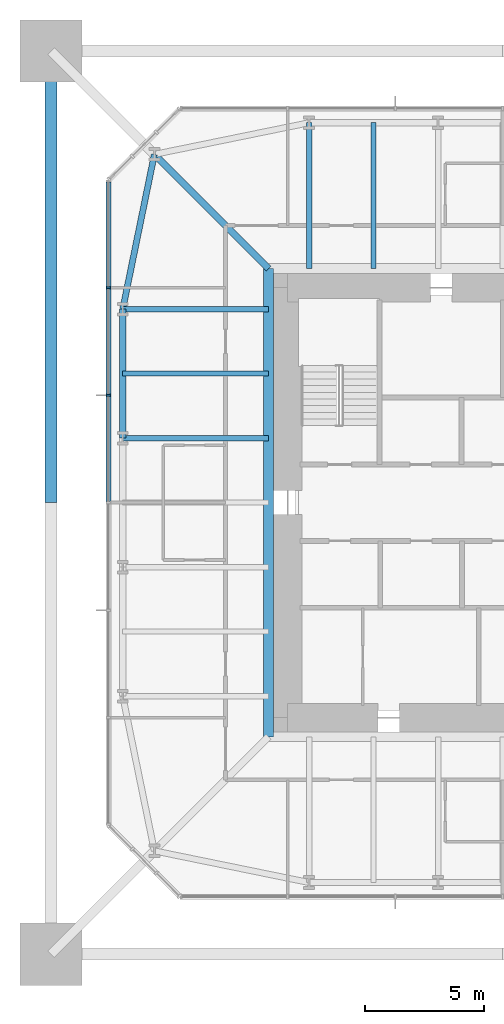
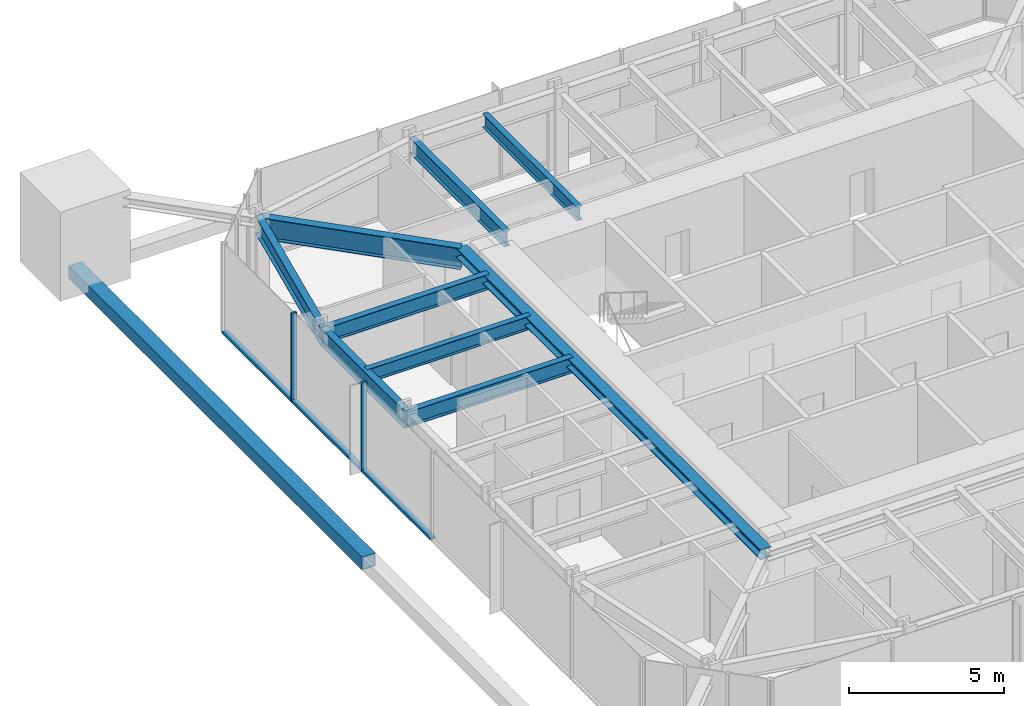
# One storey, part 3 of 10: 9 beams, 6 members, 1 element without a shape of its own.
"""IFC4 building model written with IfcOpenShell, lengths in metres."""

from ifc_helpers import new_model, si_unit, direction, frame, origin, origin_2d, place, context, subcontext, project, spatial, rectangle, hollow_rectangle, i_section, extrude, material, material_profile, profile_set, type_object, element, aggregate, save


model = new_model("IFC4")

# Units and contexts
model_context = context("Model", 3, precision=1e-05, world=origin(), true_north=direction((0.0, 1.0)))
body_context = subcontext(model_context, "Body", "Model", "MODEL_VIEW")
ifc_project = project(units=[si_unit("LENGTHUNIT", "METRE"), si_unit("AREAUNIT", "SQUARE_METRE"), si_unit("VOLUMEUNIT", "CUBIC_METRE"), si_unit("PLANEANGLEUNIT", "RADIAN"), si_unit("MASSUNIT", "GRAM", prefix="KILO")], contexts=[model_context])

# Site, building, storey
site_placement = place(None, origin())
site = spatial("IfcSite", under=ifc_project, at=site_placement, CompositionType="ELEMENT")
building_placement = place(site_placement, origin())
building = spatial("IfcBuilding", under=site, at=building_placement, Name="Iwan Alto Co-Living Towers", CompositionType="ELEMENT")
storey_placement = place(building_placement, frame((0.0, 0.0, 253.5)))
storey = spatial("IfcBuildingStorey", under=building, at=storey_placement, Name="L69", CompositionType="ELEMENT", Elevation=253.5)

# Curtain wall, members
ifc_material_1 = material(Name="Bronze aluminium unitised frame", Category="aluminium")
curtain_wall_type = type_object("IfcCurtainWallType", Name="CURTAIN WALL CW-A", PredefinedType="NOTDEFINED", material=ifc_material_1)
curtain_wall_placement = place(storey_placement, origin())
curtain_wall = element("IfcCurtainWall", 1, at=curtain_wall_placement, inside=storey, type_object=curtain_wall_type, Name="T1 curtain wall W L69", PredefinedType="NOTDEFINED")
ifc_material_2 = material(Name="Aluminium 6063-T6 bronze anodised", Category="aluminium")
ifc_material_profile_1 = material_profile(ifc_material_2, rectangle(XDim=0.199951171875, YDim=0.080078125, at=origin_2d()), Name="AL 80X200")
ifc_profile_set_1 = profile_set([ifc_material_profile_1], Name="Aluminium 6063-T6 bronze anodised")
member_type_1 = type_object("IfcMemberType", Name="CW-A MULLION 80X200", PredefinedType="MULLION", material=ifc_profile_set_1)
member_1_placement = place(storey_placement, frame((-16.5, 9.0, 0.0), z_axis=(0.0, 0.0, 1.0), x_axis=(1.0, 0.0, 0.0)))
member_1 = element("IfcMember", 2, at=member_1_placement, type_object=member_type_1, Name="CW-A mullion 2", PredefinedType="MULLION", context=body_context, shape_type="SweptSolid", body=[
    extrude(rectangle(XDim=0.199951171875, YDim=0.080078125, at=origin_2d()), origin(), (0.0, 0.0, 1.0), 3.5),
])
member_2_placement = place(storey_placement, frame((-16.5, 4.5, 0.0), z_axis=(0.0, 0.0, 1.0), x_axis=(1.0, 0.0, 0.0)))
member_2 = element("IfcMember", 3, at=member_2_placement, type_object=member_type_1, Name="CW-A mullion 3", PredefinedType="MULLION", context=body_context, shape_type="SweptSolid", body=[
    extrude(rectangle(XDim=0.199951171875, YDim=0.080078125, at=origin_2d()), origin(), (0.0, 0.0, 1.0), 3.5),
])
ifc_material_3 = material(Name="Aluminium 6063-T6 bronze anodised", Category="aluminium")
ifc_material_profile_2 = material_profile(ifc_material_3, rectangle(XDim=0.199951171875, YDim=0.10009765625, at=origin_2d()), Name="AL 200X100")
ifc_profile_set_2 = profile_set([ifc_material_profile_2], Name="Aluminium 6063-T6 bronze anodised")
member_type_2 = type_object("IfcMemberType", Name="CW-A TRANSOM 200X100", PredefinedType="USERDEFINED", material=ifc_profile_set_2)
member_3_placement = place(storey_placement, frame((-16.5, 13.419921875, 0.050048828125), z_axis=(0.0, -1.0, 0.0), x_axis=(1.0, 0.0, 0.0)))
member_3 = element("IfcMember", 4, at=member_3_placement, type_object=member_type_2, Name="CW-A transom 1.1", ObjectType="TRANSOM", PredefinedType="USERDEFINED", context=body_context, shape_type="SweptSolid", body=[
    extrude(rectangle(XDim=0.199951171875, YDim=0.10009765625, at=origin_2d()), origin(), (0.0, 0.0, 1.0), 4.3798828125),
])
member_4_placement = place(storey_placement, frame((-16.5, 8.9599609375, 0.050048828125), z_axis=(0.0, -1.0, 0.0), x_axis=(1.0, 0.0, 0.0)))
member_4 = element("IfcMember", 5, at=member_4_placement, type_object=member_type_2, Name="CW-A transom 2.1", ObjectType="TRANSOM", PredefinedType="USERDEFINED", context=body_context, shape_type="SweptSolid", body=[
    extrude(rectangle(XDim=0.199951171875, YDim=0.10009765625, at=origin_2d()), origin(), (0.0, 0.0, 1.0), 4.419921875),
])
member_5_placement = place(storey_placement, frame((-16.5, 4.4599609375, 0.050048828125), z_axis=(0.0, -1.0, 0.0), x_axis=(1.0, 0.0, 0.0)))
member_5 = element("IfcMember", 6, at=member_5_placement, type_object=member_type_2, Name="CW-A transom 3.1", ObjectType="TRANSOM", PredefinedType="USERDEFINED", context=body_context, shape_type="SweptSolid", body=[
    extrude(rectangle(XDim=0.199951171875, YDim=0.10009765625, at=origin_2d()), origin(), (0.0, 0.0, 1.0), 4.419921875),
])
aggregate(curtain_wall, [member_1, member_2, member_3, member_4, member_5])

# Beams
ifc_material_4 = material(Name="Steel ASTM A992 Gr 50", Category="steel")
ifc_material_profile_3 = material_profile(ifc_material_4, i_section(OverallWidth=0.398681640625, OverallDepth=0.385986328125, WebThickness=0.02099609375, FlangeThickness=0.033203125, at=origin_2d()), Name="W14X176")
ifc_profile_set_3 = profile_set([ifc_material_profile_3], Name="Steel ASTM A992 Gr 50")
beam_type_1 = type_object("IfcBeamType", Name="T1 CORE LEDGER BEAM W14X176", PredefinedType="BEAM", material=ifc_profile_set_3)
beam_1_placement = place(storey_placement, frame((-9.79931640625, 9.79931640625, 3.076904296875), z_axis=(0.0, -1.0, 0.0), x_axis=(1.0, 0.0, 0.0)))
element("IfcBeam", 7, at=beam_1_placement, inside=storey, type_object=beam_type_1, Name="T1 core ledger beam W L70", PredefinedType="BEAM", context=body_context, shape_type="SweptSolid", body=[
    extrude(i_section(OverallWidth=0.398681640625, OverallDepth=0.385986328125, WebThickness=0.02099609375, FlangeThickness=0.033203125, at=origin_2d()), origin(), (0.0, 0.0, 1.0), 19.5986328125),
])
ifc_material_5 = material(Name="Steel ASTM A992 Gr 50", Category="steel")
ifc_material_profile_4 = material_profile(ifc_material_5, i_section(OverallWidth=0.2919921875, OverallDepth=0.8408203125, WebThickness=0.0146484375, FlangeThickness=0.021728515625, at=origin_2d()), Name="W33X130")
ifc_profile_set_4 = profile_set([ifc_material_profile_4], Name="Steel ASTM A992 Gr 50")
beam_type_2 = type_object("IfcBeamType", Name="T1 CORNER GIRDER W33X130", PredefinedType="BEAM", material=ifc_profile_set_4)
beam_2_placement = place(storey_placement, frame((-14.57568359375, 14.57568359375, 2.849609375), z_axis=(0.707106781187, -0.707106781187, 0.0), x_axis=(0.707106781187, 0.707106781187, 0.0)))
element("IfcBeam", 8, at=beam_2_placement, inside=storey, type_object=beam_type_2, Name="T1 corner girder CNW L70", PredefinedType="BEAM", context=body_context, shape_type="SweptSolid", body=[
    extrude(i_section(OverallWidth=0.2919921875, OverallDepth=0.8408203125, WebThickness=0.0146484375, FlangeThickness=0.021728515625, at=origin_2d()), origin(), (0.0, 0.0, 1.0), 6.7548828125),
])
ifc_material_6 = material(Name="Steel ASTM A992 Gr 50", Category="steel")
ifc_material_profile_5 = material_profile(ifc_material_6, i_section(OverallWidth=0.25390625, OverallDepth=0.683349609375, WebThickness=0.012451171875, FlangeThickness=0.018798828125, at=origin_2d()), Name="W27X94")
ifc_profile_set_5 = profile_set([ifc_material_profile_5], Name="Steel ASTM A992 Gr 50")
beam_type_3 = type_object("IfcBeamType", Name="T1 EDGE BEAM W27X94", PredefinedType="BEAM", material=ifc_profile_set_5)
beam_3_placement = place(storey_placement, frame((-14.57568359375, 14.57568359375, 2.928466796875), z_axis=(-0.200347889618, -0.979724820103, 0.0), x_axis=(0.979724820103, -0.200347889618, 0.0)))
element("IfcBeam", 9, at=beam_3_placement, inside=storey, type_object=beam_type_3, Name="T1 edge beam CNW L70", PredefinedType="BEAM", context=body_context, shape_type="SweptSolid", body=[
    extrude(i_section(OverallWidth=0.25390625, OverallDepth=0.683349609375, WebThickness=0.012451171875, FlangeThickness=0.018798828125, at=origin_2d()), origin(), (0.0, 0.0, 1.0), 6.609619140625),
])
beam_4_placement = place(storey_placement, frame((-15.89990234375, 8.10009765625, 2.928466796875), z_axis=(0.0, -1.0, 0.0), x_axis=(1.0, 0.0, 0.0)))
element("IfcBeam", 10, at=beam_4_placement, inside=storey, type_object=beam_type_3, Name="T1 edge beam W1 L70", PredefinedType="BEAM", context=body_context, shape_type="SweptSolid", body=[
    extrude(i_section(OverallWidth=0.25390625, OverallDepth=0.683349609375, WebThickness=0.012451171875, FlangeThickness=0.018798828125, at=origin_2d()), origin(), (0.0, 0.0, 1.0), 5.400146484375),
])

# Member
ifc_material_7 = material(Name="Steel ASTM A572 Gr 50", Category="steel")
ifc_material_profile_6 = material_profile(ifc_material_7, hollow_rectangle(XDim=0.5, YDim=0.5, WallThickness=0.031982421875, at=origin_2d()), Name="BOX 500X500X32")
ifc_profile_set_6 = profile_set([ifc_material_profile_6], Name="Steel ASTM A572 Gr 50")
member_type_3 = type_object("IfcMemberType", Name="T1 MEGA TIE BOX 500X500X32", PredefinedType="STRUT", material=ifc_profile_set_6)
member_6_placement = place(storey_placement, frame((-18.89990234375, 18.89990234375, 0.0), z_axis=(0.0, -1.0, 0.0), x_axis=(1.0, 0.0, 0.0)))
element("IfcMember", 11, at=member_6_placement, inside=storey, type_object=member_type_3, Name="T1 mega tie Z4B W 1", PredefinedType="STRUT", context=body_context, shape_type="SweptSolid", body=[
    extrude(hollow_rectangle(XDim=0.5, YDim=0.5, WallThickness=0.031982421875, at=origin_2d()), origin(), (0.0, 0.0, 1.0), 18.89990234375),
])

# Beams
ifc_material_8 = material(Name="Steel ASTM A992 Gr 50", Category="steel")
ifc_material_profile_7 = material_profile(ifc_material_8, i_section(OverallWidth=0.228271484375, OverallDepth=0.607177734375, WebThickness=0.01123046875, FlangeThickness=0.017333984375, at=origin_2d()), Name="W24X76")
ifc_profile_set_7 = profile_set([ifc_material_profile_7], Name="Steel ASTM A992 Gr 50")
beam_type_4 = type_object("IfcBeamType", Name="T1 RADIAL BEAM W24X76", PredefinedType="BEAM", material=ifc_profile_set_7)
for number, where, z_axis, x_axis, name in (
    (12, (-8.10009765625, 15.89990234375, 2.966552734375), (0.0, -1.0, 0.0), (1.0, 0.0, 0.0), "T1 radial beam N4 L70"),
    (13, (-15.89990234375, 8.10009765625, 2.966552734375), (1.0, 0.0, 0.0), (0.0, 1.0, 0.0), "T1 radial beam W1 L70"),
    (14, (-15.89990234375, 2.699951171875, 2.966552734375), (1.0, 0.0, 0.0), (0.0, 1.0, 0.0), "T1 radial beam W2 L70"),
):
    element("IfcBeam", number, at=place(storey_placement, frame(where, z_axis=z_axis, x_axis=x_axis)), inside=storey, type_object=beam_type_4, Name=name, PredefinedType="BEAM", context=body_context, shape_type="SweptSolid", body=[
        extrude(i_section(OverallWidth=0.228271484375, OverallDepth=0.607177734375, WebThickness=0.01123046875, FlangeThickness=0.017333984375, at=origin_2d()), origin(), (0.0, 0.0, 1.0), 6.1005859375),
    ])
ifc_material_9 = material(Name="Steel ASTM A992 Gr 50", Category="steel")
ifc_material_profile_8 = material_profile(ifc_material_9, i_section(OverallWidth=0.209228515625, OverallDepth=0.533447265625, WebThickness=0.01025390625, FlangeThickness=0.015625, at=origin_2d()), Name="W21X62")
ifc_profile_set_8 = profile_set([ifc_material_profile_8], Name="Steel ASTM A992 Gr 50")
beam_type_5 = type_object("IfcBeamType", Name="T1 SECONDARY BEAM W21X62", PredefinedType="JOIST", material=ifc_profile_set_8)
for number, where, z_axis, x_axis, name in (
    (15, (-5.39990234375, 15.89990234375, 3.00341796875), (0.0, -1.0, 0.0), (1.0, 0.0, 0.0), "T1 secondary beam N3 L70"),
    (16, (-15.89990234375, 5.39990234375, 3.00341796875), (1.0, 0.0, 0.0), (0.0, 1.0, 0.0), "T1 secondary beam W1 L70"),
):
    element("IfcBeam", number, at=place(storey_placement, frame(where, z_axis=z_axis, x_axis=x_axis)), inside=storey, type_object=beam_type_5, Name=name, PredefinedType="JOIST", context=body_context, shape_type="SweptSolid", body=[
        extrude(i_section(OverallWidth=0.209228515625, OverallDepth=0.533447265625, WebThickness=0.01025390625, FlangeThickness=0.015625, at=origin_2d()), origin(), (0.0, 0.0, 1.0), 6.1005859375),
    ])

save(model, "model.ifc")
